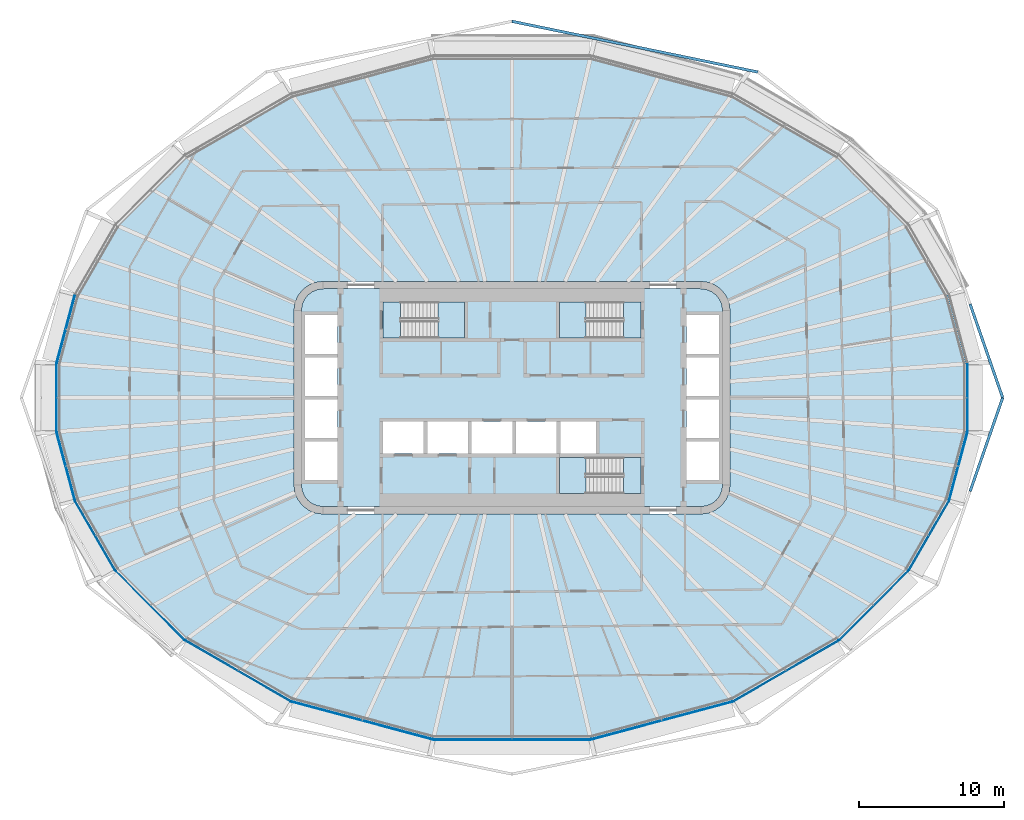
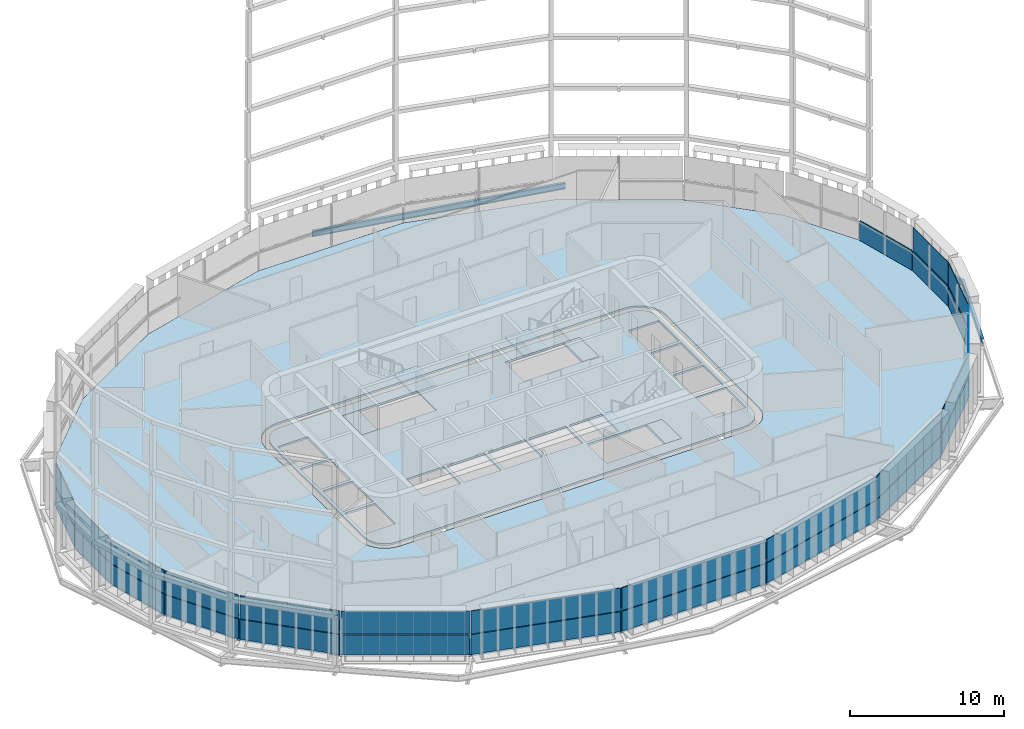
# One storey, part 10 of 24: 29 plates, 8 slabs, 3 beams, 18 elements without a shape of their own.
"""IFC4 building model written with IfcOpenShell, lengths in metres."""

from ifc_helpers import new_model, si_unit, direction, frame, origin, origin_2d, place, context, subcontext, project, spatial, polyline, i_section, outline, extrude, material, layer, layer_set, material_profile, profile_set, type_object, element, aggregate, save


model = new_model("IFC4")

# Units and contexts
model_context = context("Model", 3, precision=1e-05, world=origin(), true_north=direction((0.0, 1.0)))
body_context = subcontext(model_context, "Body", "Model", "MODEL_VIEW")
ifc_project = project(units=[si_unit("LENGTHUNIT", "METRE"), si_unit("AREAUNIT", "SQUARE_METRE"), si_unit("VOLUMEUNIT", "CUBIC_METRE"), si_unit("PLANEANGLEUNIT", "RADIAN"), si_unit("MASSUNIT", "GRAM", prefix="KILO")], contexts=[model_context])

# Site, building, storey
site_placement = place(None, origin())
site = spatial("IfcSite", under=ifc_project, at=site_placement, CompositionType="ELEMENT")
building_placement = place(site_placement, origin())
building = spatial("IfcBuilding", under=site, at=building_placement, Name="Sahrelin Media Tower", CompositionType="ELEMENT")
storey_placement = place(building_placement, frame((0.0, 0.0, 153.60009765625)))
storey = spatial("IfcBuildingStorey", under=building, at=storey_placement, Name="L31", CompositionType="ELEMENT", Elevation=153.60009765625)

# Beams
ifc_material_1 = material(Name="Steel S355", Category="steel")
ifc_material_profile = material_profile(ifc_material_1, i_section(OverallWidth=0.1904296875, OverallDepth=0.45703125, WebThickness=0.009033203125, FlangeThickness=0.014404296875, FilletRadius=0.01025390625, at=origin_2d()), Name="UB 457x191x74")
ifc_profile_set = profile_set([ifc_material_profile], Name="Steel S355")
beam_type = type_object("IfcBeamType", Name="Tie chord TC5", PredefinedType="BEAM", material=ifc_profile_set)
beam_1_placement = place(storey_placement, frame((33.762939453125, 0.0, -0.378662109375), z_axis=(-0.328806602254, -0.944397277799, 0.0), x_axis=(0.944397277799, -0.328806602254, 0.0)))
element("IfcBeam", 1, at=beam_1_placement, inside=storey, type_object=beam_type, Name="Tie chord L31-01", PredefinedType="BEAM", context=body_context, shape_type="SweptSolid", body=[
    extrude(i_section(OverallWidth=0.1904296875, OverallDepth=0.45703125, WebThickness=0.009033203125, FlangeThickness=0.014404296875, FilletRadius=0.01025390625, at=origin_2d()), origin(), (0.0, 0.0, 1.0), 6.820556640625),
])
beam_2_placement = place(storey_placement, frame((0.0, 25.896484375, -0.378662109375), z_axis=(0.979382790759, -0.202013240074, 0.0), x_axis=(0.202013240074, 0.979382790759, 0.0)))
element("IfcBeam", 2, at=beam_2_placement, inside=storey, type_object=beam_type, Name="Tie chord L31-16", PredefinedType="BEAM", context=body_context, shape_type="SweptSolid", body=[
    extrude(i_section(OverallWidth=0.1904296875, OverallDepth=0.45703125, WebThickness=0.009033203125, FlangeThickness=0.014404296875, FilletRadius=0.01025390625, at=origin_2d()), origin(), (0.0, 0.0, 1.0), 17.281982421875),
])
beam_3_placement = place(storey_placement, frame((31.520263671875, 6.44140625, -0.378662109375), z_axis=(0.328806602254, -0.944397277799, 0.0), x_axis=(0.944397277799, 0.328806602254, 0.0)))
element("IfcBeam", 3, at=beam_3_placement, inside=storey, type_object=beam_type, Name="Tie chord L31-20", PredefinedType="BEAM", context=body_context, shape_type="SweptSolid", body=[
    extrude(i_section(OverallWidth=0.1904296875, OverallDepth=0.45703125, WebThickness=0.009033203125, FlangeThickness=0.014404296875, FilletRadius=0.01025390625, at=origin_2d()), origin(), (0.0, 0.0, 1.0), 6.820556640625),
])

# Slabs
ifc_material_2 = material(Name="Concrete C40/50", Category="concrete")
ifc_layer_1 = layer(ifc_material_2, 0.14990234375)
ifc_layer_set_1 = layer_set([ifc_layer_1], Name="Composite floor slab 150")
slab_type_1 = type_object("IfcSlabType", Name="Composite floor slab 150", PredefinedType="FLOOR", material=ifc_layer_set_1)
placement_1 = place(storey_placement, frame((0.0, 0.0, -0.150146484375)))
element("IfcSlab", 4, at=placement_1, inside=storey, type_object=slab_type_1, Name="Floor slab L31", PredefinedType="FLOOR", context=body_context, shape_type="SweptSolid", body=[
    extrude(outline(polyline([(31.33154296875, -2.34033203125), (31.33154296875, 2.34033203125), (30.064697265625, 7.06884765625), (27.279296875, 11.89306640625), (22.493408203125, 16.678955078125), (15.1884765625, 20.896484375), (5.425537109375, 23.512451171875), (-5.425537109375, 23.512451171875), (-15.1884765625, 20.896484375), (-22.493408203125, 16.678955078125), (-27.279296875, 11.89306640625), (-30.064697265625, 7.06884765625), (-31.33154296875, 2.34033203125), (-31.33154296875, -2.34033203125), (-30.064697265625, -7.06884765625), (-27.279296875, -11.89306640625), (-22.493408203125, -16.678955078125), (-15.1884765625, -20.896484375), (-5.425537109375, -23.512451171875), (5.425537109375, -23.512451171875), (15.1884765625, -20.896484375), (22.493408203125, -16.678955078125), (27.279296875, -11.89306640625), (30.064697265625, -7.06884765625), (31.33154296875, -2.34033203125)]), holes=[polyline([(14.931884765625, 6.517578125), (15.0, 6.0), (15.0, -6.0), (14.931884765625, -6.517578125), (14.732177734375, -7.0), (14.414306640625, -7.414306640625), (14.0, -7.732177734375), (13.517578125, -7.931884765625), (13.0, -8.0), (-13.0, -8.0), (-13.517578125, -7.931884765625), (-14.0, -7.732177734375), (-14.414306640625, -7.414306640625), (-14.732177734375, -7.0), (-14.931884765625, -6.517578125), (-15.0, -6.0), (-15.0, 6.0), (-14.931884765625, 6.517578125), (-14.732177734375, 7.0), (-14.414306640625, 7.414306640625), (-14.0, 7.732177734375), (-13.517578125, 7.931884765625), (-13.0, 8.0), (13.0, 8.0), (13.517578125, 7.931884765625), (14.0, 7.732177734375), (14.414306640625, 7.414306640625), (14.732177734375, 7.0), (14.931884765625, 6.517578125)])]), origin(), (0.0, 0.0, 1.0), 0.150146484375),
])
ifc_layer_2 = layer(ifc_material_2, 0.14990234375)
ifc_layer_set_2 = layer_set([ifc_layer_2], Name="Core floor slab 150")
slab_type_2 = type_object("IfcSlabType", Name="Core floor slab 150", PredefinedType="FLOOR", material=ifc_layer_set_2)
element("IfcSlab", 5, at=placement_1, inside=storey, type_object=slab_type_2, Name="Core floor", PredefinedType="FLOOR", context=body_context, shape_type="SweptSolid", body=[
    extrude(outline(polyline([(-14.44482421875, 6.38720703125), (-14.5, 5.96728515625), (-14.5, -5.96728515625), (-14.44482421875, -6.38720703125), (-14.29541015625, -6.747802734375), (-14.0576171875, -7.0576171875), (-13.747802734375, -7.29541015625), (-13.38720703125, -7.44482421875), (-12.96728515625, -7.5), (12.96728515625, -7.5), (13.38720703125, -7.44482421875), (13.747802734375, -7.29541015625), (14.0576171875, -7.0576171875), (14.29541015625, -6.747802734375), (14.44482421875, -6.38720703125), (14.5, -5.96728515625), (14.5, 5.96728515625), (14.44482421875, 6.38720703125), (14.29541015625, 6.747802734375), (14.0576171875, 7.0576171875), (13.747802734375, 7.29541015625), (13.38720703125, 7.44482421875), (12.96728515625, 7.5), (-12.96728515625, 7.5), (-13.38720703125, 7.44482421875), (-13.747802734375, 7.29541015625), (-14.0576171875, 7.0576171875), (-14.29541015625, 6.747802734375), (-14.44482421875, 6.38720703125)]), holes=[polyline([(-12.0, 3.02490234375), (-12.0, 5.675048828125), (-14.25, 5.675048828125), (-14.25, 3.02490234375), (-12.0, 3.02490234375)]), polyline([(-14.25, 0.125), (-12.0, 0.125), (-12.0, 2.77490234375), (-14.25, 2.77490234375), (-14.25, 0.125)]), polyline([(-14.25, -0.125), (-14.25, -2.77490234375), (-12.0, -2.77490234375), (-12.0, -0.125), (-14.25, -0.125)]), polyline([(-12.0, -3.02490234375), (-14.25, -3.02490234375), (-14.25, -5.675048828125), (-12.0, -5.675048828125), (-12.0, -3.02490234375)]), polyline([(14.25, 3.02490234375), (14.25, 5.675048828125), (12.0, 5.675048828125), (12.0, 3.02490234375), (14.25, 3.02490234375)]), polyline([(12.0, 0.125), (14.25, 0.125), (14.25, 2.77490234375), (12.0, 2.77490234375), (12.0, 0.125)]), polyline([(12.0, -0.125), (12.0, -2.77490234375), (14.25, -2.77490234375), (14.25, -0.125), (12.0, -0.125)]), polyline([(14.25, -3.02490234375), (12.0, -3.02490234375), (12.0, -5.675048828125), (14.25, -5.675048828125), (14.25, -3.02490234375)]), polyline([(-6.074951171875, -3.85009765625), (-6.074951171875, -1.64990234375), (-8.875, -1.64990234375), (-8.875, -3.85009765625), (-6.074951171875, -3.85009765625)]), polyline([(-5.824951171875, -3.85009765625), (-3.02490234375, -3.85009765625), (-3.02490234375, -1.64990234375), (-5.824951171875, -1.64990234375), (-5.824951171875, -3.85009765625)]), polyline([(-2.77490234375, -1.64990234375), (-2.77490234375, -3.85009765625), (0.02490234375, -3.85009765625), (0.02490234375, -1.64990234375), (-2.77490234375, -1.64990234375)]), polyline([(3.074951171875, -1.64990234375), (0.27490234375, -1.64990234375), (0.27490234375, -3.85009765625), (3.074951171875, -3.85009765625), (3.074951171875, -1.64990234375)]), polyline([(5.77490234375, -3.85009765625), (5.77490234375, -1.64990234375), (3.324951171875, -1.64990234375), (3.324951171875, -3.85009765625), (5.77490234375, -3.85009765625)]), polyline([(-8.875, 6.60009765625), (-8.875, 4.10009765625), (-3.27490234375, 4.10009765625), (-3.27490234375, 6.60009765625), (-8.875, 6.60009765625)]), polyline([(3.27490234375, 4.10009765625), (8.875, 4.10009765625), (8.875, 6.60009765625), (3.27490234375, 6.60009765625), (3.27490234375, 4.10009765625)]), polyline([(3.27490234375, -4.10009765625), (3.27490234375, -6.60009765625), (8.875, -6.60009765625), (8.875, -4.10009765625), (3.27490234375, -4.10009765625)])]), origin(), (0.0, 0.0, 1.0), 0.150146484375),
])

# Curtain wall, plate
ifc_material_3 = material(Name="Champagne anodised aluminium 6063-T6", Category="aluminium")
ifc_layer_3 = layer(ifc_material_3, 0.14990234375)
ifc_layer_set_3 = layer_set([ifc_layer_3], Name="Tower ribbon curtain wall")
curtain_wall_type = type_object("IfcCurtainWallType", Name="Tower ribbon curtain wall", PredefinedType="NOTDEFINED", material=ifc_layer_set_3)
curtain_wall_1_placement = place(storey_placement, frame((31.3515625, 0.0, 0.0), z_axis=(0.0, 0.0, 1.0), x_axis=(1.0, 0.0, 0.0)))
curtain_wall_1 = element("IfcCurtainWall", 6, at=curtain_wall_1_placement, inside=storey, type_object=curtain_wall_type, Name="L31:CW:L31-00", PredefinedType="NOTDEFINED")
ifc_material_4 = material(Name="Clear low-iron glazing", Category="glass")
ifc_layer_4 = layer(ifc_material_4, 0.0439453125)
ifc_layer_set_4 = layer_set([ifc_layer_4], Name="Glazing panel 44 mm CW1B")
plate_type_1 = type_object("IfcPlateType", Name="Glazing panel 44 mm CW1B", PredefinedType="CURTAIN_PANEL", material=ifc_layer_set_4)
plate_1_placement = place(storey_placement, frame((31.37158203125, -2.29296875, 1.6298828125), z_axis=(1.0, 0.0, 0.0), x_axis=(0.0, 1.0, 0.0)))
plate_1 = element("IfcPlate", 7, at=plate_1_placement, type_object=plate_type_1, Name="L31:CWP2:L31-00", PredefinedType="CURTAIN_PANEL", context=body_context, shape_type="SweptSolid", body=[
    extrude(outline(polyline([(0.0, 0.0), (4.5859375, 0.0), (4.5859375, 1.818603515625), (0.0, 1.818603515625), (0.0, 0.0)])), origin(), (0.0, 0.0, -1.0), 0.0439453125),
])

curtain_wall_2_placement = place(storey_placement, frame((-30.71728515625, 4.709716796875, 0.0), z_axis=(0.0, 0.0, 1.0), x_axis=(1.0, 0.0, 0.0)))
curtain_wall_2 = element("IfcCurtainWall", 8, at=curtain_wall_2_placement, inside=storey, type_object=curtain_wall_type, Name="L31:CW:L31-11", PredefinedType="NOTDEFINED")
plate_2_placement = place(storey_placement, frame((-30.115478515625, 7.033447265625, 1.6298828125), z_axis=(-0.965927847978, 0.25881149994, 0.0), x_axis=(-0.25881149994, -0.965927847978, 0.0)))
plate_2 = element("IfcPlate", 9, at=plate_2_placement, type_object=plate_type_1, Name="L31:CWP2:L31-11", PredefinedType="CURTAIN_PANEL", context=body_context, shape_type="SweptSolid", body=[
    extrude(outline(polyline([(0.0, 0.0), (4.800537109375, 0.0), (4.800537109375, 1.818603515625), (0.0, 1.818603515625), (0.0, 0.0)])), origin(), (0.0, 0.0, -1.0), 0.0439453125),
])

curtain_wall_3_placement = place(storey_placement, frame((-31.3515625, 0.0, 0.0), z_axis=(0.0, 0.0, 1.0), x_axis=(1.0, 0.0, 0.0)))
curtain_wall_3 = element("IfcCurtainWall", 10, at=curtain_wall_3_placement, inside=storey, type_object=curtain_wall_type, Name="L31:CW:L31-12", PredefinedType="NOTDEFINED")
plate_3_placement = place(storey_placement, frame((-31.37158203125, 2.29296875, 1.6298828125), z_axis=(-1.0, 0.0, 0.0), x_axis=(0.0, -1.0, 0.0)))
plate_3 = element("IfcPlate", 11, at=plate_3_placement, type_object=plate_type_1, Name="L31:CWP2:L31-12", PredefinedType="CURTAIN_PANEL", context=body_context, shape_type="SweptSolid", body=[
    extrude(outline(polyline([(0.0, 0.0), (4.5859375, 0.0), (4.5859375, 1.818603515625), (0.0, 1.818603515625), (0.0, 0.0)])), origin(), (0.0, 0.0, -1.0), 0.0439453125),
])

curtain_wall_4_placement = place(storey_placement, frame((-30.71728515625, -4.709716796875, 0.0), z_axis=(0.0, 0.0, 1.0), x_axis=(1.0, 0.0, 0.0)))
curtain_wall_4 = element("IfcCurtainWall", 12, at=curtain_wall_4_placement, inside=storey, type_object=curtain_wall_type, Name="L31:CW:L31-13", PredefinedType="NOTDEFINED")
plate_4_placement = place(storey_placement, frame((-31.35791015625, -2.396484375, 1.6298828125), z_axis=(-0.965927847978, -0.25881149994, 0.0), x_axis=(0.25881149994, -0.965927847978, 0.0)))
plate_4 = element("IfcPlate", 13, at=plate_4_placement, type_object=plate_type_1, Name="L31:CWP2:L31-13", PredefinedType="CURTAIN_PANEL", context=body_context, shape_type="SweptSolid", body=[
    extrude(outline(polyline([(0.0, 0.0), (4.800537109375, 0.0), (4.800537109375, 1.818603515625), (0.0, 1.818603515625), (0.0, 0.0)])), origin(), (0.0, 0.0, -1.0), 0.0439453125),
])

curtain_wall_5_placement = place(storey_placement, frame((-28.689208984375, -9.490966796875, 0.0), z_axis=(0.0, 0.0, 1.0), x_axis=(1.0, 0.0, 0.0)))
curtain_wall_5 = element("IfcCurtainWall", 14, at=curtain_wall_5_placement, inside=storey, type_object=curtain_wall_type, Name="L31:CW:L31-14", PredefinedType="NOTDEFINED")
plate_5_placement = place(storey_placement, frame((-30.075439453125, -7.1298828125, 1.6298828125), z_axis=(-0.866034122891, -0.49998489776, 0.0), x_axis=(0.49998489776, -0.866034122891, 0.0)))
plate_5 = element("IfcPlate", 15, at=plate_5_placement, type_object=plate_type_1, Name="L31:CWP2:L31-14", PredefinedType="CURTAIN_PANEL", context=body_context, shape_type="SweptSolid", body=[
    extrude(outline(polyline([(0.0, 0.0), (5.475830078125, 0.0), (5.475830078125, 1.818603515625), (0.0, 1.818603515625), (0.0, 0.0)])), origin(), (0.0, 0.0, -1.0), 0.0439453125),
])

curtain_wall_6_placement = place(storey_placement, frame((-24.900634765625, -14.30029296875, 0.0), z_axis=(0.0, 0.0, 1.0), x_axis=(1.0, 0.0, 0.0)))
curtain_wall_6 = element("IfcCurtainWall", 16, at=curtain_wall_6_placement, inside=storey, type_object=curtain_wall_type, Name="L31:CW:L31-15", PredefinedType="NOTDEFINED")
plate_6_placement = place(storey_placement, frame((-27.274169921875, -11.954833984375, 1.6298828125), z_axis=(-0.707106781187, -0.707106781187, 0.0), x_axis=(0.707106781187, -0.707106781187, 0.0)))
plate_6 = element("IfcPlate", 17, at=plate_6_placement, type_object=plate_type_1, Name="L31:CWP2:L31-15", PredefinedType="CURTAIN_PANEL", context=body_context, shape_type="SweptSolid", body=[
    extrude(outline(polyline([(0.0, 0.0), (6.67333984375, 0.0), (6.67333984375, 1.818603515625), (0.0, 1.818603515625), (0.0, 0.0)])), origin(), (0.0, 0.0, -1.0), 0.0439453125),
])

curtain_wall_7_placement = place(storey_placement, frame((-18.85107421875, -18.804931640625, 0.0), z_axis=(0.0, 0.0, 1.0), x_axis=(1.0, 0.0, 0.0)))
curtain_wall_7 = element("IfcCurtainWall", 18, at=curtain_wall_7_placement, inside=storey, type_object=curtain_wall_type, Name="L31:CW:L31-16", PredefinedType="NOTDEFINED")
plate_7_placement = place(storey_placement, frame((-22.472412109375, -16.7373046875, 1.6298828125), z_axis=(-0.500002026074, -0.866024234027, 0.0), x_axis=(0.866024234027, -0.500002026074, 0.0)))
plate_7 = element("IfcPlate", 19, at=plate_7_placement, type_object=plate_type_1, Name="L31:CWP2:L31-16", PredefinedType="CURTAIN_PANEL", context=body_context, shape_type="SweptSolid", body=[
    extrude(outline(polyline([(0.0, 0.0), (8.34033203125, 0.0), (8.34033203125, 1.818603515625), (0.0, 1.818603515625), (0.0, 0.0)])), origin(), (0.0, 0.0, -1.0), 0.0439453125),
])

curtain_wall_8_placement = place(storey_placement, frame((-10.312255859375, -22.2236328125, 0.0), z_axis=(0.0, 0.0, 1.0), x_axis=(1.0, 0.0, 0.0)))
curtain_wall_8 = element("IfcCurtainWall", 20, at=curtain_wall_8_placement, inside=storey, type_object=curtain_wall_type, Name="L31:CW:L31-17", PredefinedType="NOTDEFINED")
plate_8_placement = place(storey_placement, frame((-15.153076171875, -20.947509765625, 1.6298828125), z_axis=(-0.258806775726, -0.965929113775, 0.0), x_axis=(0.965929113775, -0.258806775726, 0.0)))
plate_8 = element("IfcPlate", 21, at=plate_8_placement, type_object=plate_type_1, Name="L31:CWP2:L31-17", PredefinedType="CURTAIN_PANEL", context=body_context, shape_type="SweptSolid", body=[
    extrude(outline(polyline([(0.0, 0.0), (10.012451171875, 0.0), (10.012451171875, 1.818603515625), (0.0, 1.818603515625), (0.0, 0.0)])), origin(), (0.0, 0.0, -1.0), 0.0439453125),
])

curtain_wall_9_placement = place(storey_placement, frame((0.0, -23.532470703125, 0.0), z_axis=(0.0, 0.0, 1.0), x_axis=(1.0, 0.0, 0.0)))
curtain_wall_9 = element("IfcCurtainWall", 22, at=curtain_wall_9_placement, inside=storey, type_object=curtain_wall_type, Name="L31:CW:L31-18", PredefinedType="NOTDEFINED")
plate_9_placement = place(storey_placement, frame((-5.378173828125, -23.552490234375, 1.6298828125), z_axis=(0.0, -1.0, 0.0), x_axis=(1.0, 0.0, 0.0)))
plate_9 = element("IfcPlate", 23, at=plate_9_placement, type_object=plate_type_1, Name="L31:CWP2:L31-18", PredefinedType="CURTAIN_PANEL", context=body_context, shape_type="SweptSolid", body=[
    extrude(outline(polyline([(0.0, 0.0), (10.75634765625, 0.0), (10.75634765625, 1.818603515625), (0.0, 1.818603515625), (0.0, 0.0)])), origin(), (0.0, 0.0, -1.0), 0.0439453125),
])

curtain_wall_10_placement = place(storey_placement, frame((10.312255859375, -22.2236328125, 0.0), z_axis=(0.0, 0.0, 1.0), x_axis=(1.0, 0.0, 0.0)))
curtain_wall_10 = element("IfcCurtainWall", 24, at=curtain_wall_10_placement, inside=storey, type_object=curtain_wall_type, Name="L31:CW:L31-19", PredefinedType="NOTDEFINED")
plate_10_placement = place(storey_placement, frame((5.481689453125, -23.538818359375, 1.6298828125), z_axis=(0.258806775726, -0.965929113775, 0.0), x_axis=(0.965929113775, 0.258806775726, 0.0)))
plate_10 = element("IfcPlate", 25, at=plate_10_placement, type_object=plate_type_1, Name="L31:CWP2:L31-19", PredefinedType="CURTAIN_PANEL", context=body_context, shape_type="SweptSolid", body=[
    extrude(outline(polyline([(0.0, 0.0), (10.012451171875, 0.0), (10.012451171875, 1.818603515625), (0.0, 1.818603515625), (0.0, 0.0)])), origin(), (0.0, 0.0, -1.0), 0.0439453125),
])

curtain_wall_11_placement = place(storey_placement, frame((18.85107421875, -18.804931640625, 0.0), z_axis=(0.0, 0.0, 1.0), x_axis=(1.0, 0.0, 0.0)))
curtain_wall_11 = element("IfcCurtainWall", 26, at=curtain_wall_11_placement, inside=storey, type_object=curtain_wall_type, Name="L31:CW:L31-20", PredefinedType="NOTDEFINED")
plate_11_placement = place(storey_placement, frame((15.24951171875, -20.907470703125, 1.6298828125), z_axis=(0.500002026074, -0.866024234027, 0.0), x_axis=(0.866024234027, 0.500002026074, 0.0)))
plate_11 = element("IfcPlate", 27, at=plate_11_placement, type_object=plate_type_1, Name="L31:CWP2:L31-20", PredefinedType="CURTAIN_PANEL", context=body_context, shape_type="SweptSolid", body=[
    extrude(outline(polyline([(0.0, 0.0), (8.34033203125, 0.0), (8.34033203125, 1.818603515625), (0.0, 1.818603515625), (0.0, 0.0)])), origin(), (0.0, 0.0, -1.0), 0.0439453125),
])

curtain_wall_12_placement = place(storey_placement, frame((24.900390625, -14.300048828125, 0.0), z_axis=(0.0, 0.0, 1.0), x_axis=(1.0, 0.0, 0.0)))
curtain_wall_12 = element("IfcCurtainWall", 28, at=curtain_wall_12_placement, inside=storey, type_object=curtain_wall_type, Name="L31:CW:L31-21", PredefinedType="NOTDEFINED")
plate_12_placement = place(storey_placement, frame((22.555419921875, -16.673583984375, 1.6298828125), z_axis=(0.707106781187, -0.707106781187, 0.0), x_axis=(0.707106781187, 0.707106781187, 0.0)))
plate_12 = element("IfcPlate", 29, at=plate_12_placement, type_object=plate_type_1, Name="L31:CWP2:L31-21", PredefinedType="CURTAIN_PANEL", context=body_context, shape_type="SweptSolid", body=[
    extrude(outline(polyline([(0.0, 0.0), (6.67333984375, 0.0), (6.67333984375, 1.818603515625), (0.0, 1.818603515625), (0.0, 0.0)])), origin(), (0.0, 0.0, -1.0), 0.0439453125),
])

curtain_wall_13_placement = place(storey_placement, frame((28.689208984375, -9.490966796875, 0.0), z_axis=(0.0, 0.0, 1.0), x_axis=(1.0, 0.0, 0.0)))
curtain_wall_13 = element("IfcCurtainWall", 30, at=curtain_wall_13_placement, inside=storey, type_object=curtain_wall_type, Name="L31:CW:L31-22", PredefinedType="NOTDEFINED")
plate_13_placement = place(storey_placement, frame((27.337646484375, -11.8720703125, 1.6298828125), z_axis=(0.866034122891, -0.49998489776, 0.0), x_axis=(0.49998489776, 0.866034122891, 0.0)))
plate_13 = element("IfcPlate", 31, at=plate_13_placement, type_object=plate_type_1, Name="L31:CWP2:L31-22", PredefinedType="CURTAIN_PANEL", context=body_context, shape_type="SweptSolid", body=[
    extrude(outline(polyline([(0.0, 0.0), (5.475830078125, 0.0), (5.475830078125, 1.818603515625), (0.0, 1.818603515625), (0.0, 0.0)])), origin(), (0.0, 0.0, -1.0), 0.0439453125),
])

curtain_wall_14_placement = place(storey_placement, frame((30.71728515625, -4.709716796875, 0.0), z_axis=(0.0, 0.0, 1.0), x_axis=(1.0, 0.0, 0.0)))
curtain_wall_14 = element("IfcCurtainWall", 32, at=curtain_wall_14_placement, inside=storey, type_object=curtain_wall_type, Name="L31:CW:L31-23", PredefinedType="NOTDEFINED")
plate_14_placement = place(storey_placement, frame((30.115478515625, -7.033447265625, 1.6298828125), z_axis=(0.965927847978, -0.25881149994, 0.0), x_axis=(0.25881149994, 0.965927847978, 0.0)))
plate_14 = element("IfcPlate", 33, at=plate_14_placement, type_object=plate_type_1, Name="L31:CWP2:L31-23", PredefinedType="CURTAIN_PANEL", context=body_context, shape_type="SweptSolid", body=[
    extrude(outline(polyline([(0.0, 0.0), (4.800537109375, 0.0), (4.800537109375, 1.818603515625), (0.0, 1.818603515625), (0.0, 0.0)])), origin(), (0.0, 0.0, -1.0), 0.0439453125),
])

# Plate
ifc_material_5 = material(Name="Insulated spandrel panel")
ifc_layer_5 = layer(ifc_material_5, 0.06005859375)
ifc_layer_set_5 = layer_set([ifc_layer_5], Name="Spandrel panel 60 mm CW1")
plate_type_2 = type_object("IfcPlateType", Name="Spandrel panel 60 mm CW1", PredefinedType="SHEET", material=ifc_layer_set_5)
plate_15_placement = place(storey_placement, frame((31.37158203125, -2.29296875, 0.0), z_axis=(1.0, 0.0, 0.0), x_axis=(0.0, 1.0, 0.0)))
plate_15 = element("IfcPlate", 34, at=plate_15_placement, type_object=plate_type_2, Name="L31:CWP1:L31-00", PredefinedType="SHEET", context=body_context, shape_type="SweptSolid", body=[
    extrude(outline(polyline([(0.0, 0.0), (4.5859375, 0.0), (4.5859375, 1.56982421875), (0.0, 1.56982421875), (0.0, 0.0)])), origin(), (0.0, 0.0, -1.0), 0.06005859375),
])

aggregate(curtain_wall_1, [plate_15, plate_1])

# Curtain wall, plate
curtain_wall_15_placement = place(storey_placement, frame((30.71728515625, 4.709716796875, 0.0), z_axis=(0.0, 0.0, 1.0), x_axis=(1.0, 0.0, 0.0)))
curtain_wall_15 = element("IfcCurtainWall", 35, at=curtain_wall_15_placement, inside=storey, type_object=curtain_wall_type, Name="L31:CW:L31-01", PredefinedType="NOTDEFINED")
plate_16_placement = place(storey_placement, frame((31.35791015625, 2.396484375, 0.0), z_axis=(0.965927847978, 0.25881149994, 0.0), x_axis=(-0.25881149994, 0.965927847978, 0.0)))
plate_16 = element("IfcPlate", 36, at=plate_16_placement, type_object=plate_type_2, Name="L31:CWP1:L31-01", PredefinedType="SHEET", context=body_context, shape_type="SweptSolid", body=[
    extrude(outline(polyline([(0.0, 0.0), (4.800537109375, 0.0), (4.800537109375, 1.56982421875), (0.0, 1.56982421875), (0.0, 0.0)])), origin(), (0.0, 0.0, -1.0), 0.06005859375),
])
aggregate(curtain_wall_15, [plate_16])

# Plate
plate_17_placement = place(storey_placement, frame((-30.115478515625, 7.033447265625, 0.0), z_axis=(-0.965927847978, 0.25881149994, 0.0), x_axis=(-0.25881149994, -0.965927847978, 0.0)))
plate_17 = element("IfcPlate", 37, at=plate_17_placement, type_object=plate_type_2, Name="L31:CWP1:L31-11", PredefinedType="SHEET", context=body_context, shape_type="SweptSolid", body=[
    extrude(outline(polyline([(0.0, 0.0), (4.800537109375, 0.0), (4.800537109375, 1.56982421875), (0.0, 1.56982421875), (0.0, 0.0)])), origin(), (0.0, 0.0, -1.0), 0.06005859375),
])

aggregate(curtain_wall_2, [plate_17, plate_2])

plate_18_placement = place(storey_placement, frame((-31.37158203125, 2.29296875, 0.0), z_axis=(-1.0, 0.0, 0.0), x_axis=(0.0, -1.0, 0.0)))
plate_18 = element("IfcPlate", 38, at=plate_18_placement, type_object=plate_type_2, Name="L31:CWP1:L31-12", PredefinedType="SHEET", context=body_context, shape_type="SweptSolid", body=[
    extrude(outline(polyline([(0.0, 0.0), (4.5859375, 0.0), (4.5859375, 1.56982421875), (0.0, 1.56982421875), (0.0, 0.0)])), origin(), (0.0, 0.0, -1.0), 0.06005859375),
])

aggregate(curtain_wall_3, [plate_18, plate_3])

plate_19_placement = place(storey_placement, frame((-31.35791015625, -2.396484375, 0.0), z_axis=(-0.965927847978, -0.25881149994, 0.0), x_axis=(0.25881149994, -0.965927847978, 0.0)))
plate_19 = element("IfcPlate", 39, at=plate_19_placement, type_object=plate_type_2, Name="L31:CWP1:L31-13", PredefinedType="SHEET", context=body_context, shape_type="SweptSolid", body=[
    extrude(outline(polyline([(0.0, 0.0), (4.800537109375, 0.0), (4.800537109375, 1.56982421875), (0.0, 1.56982421875), (0.0, 0.0)])), origin(), (0.0, 0.0, -1.0), 0.06005859375),
])

aggregate(curtain_wall_4, [plate_19, plate_4])

plate_20_placement = place(storey_placement, frame((-30.075439453125, -7.1298828125, 0.0), z_axis=(-0.866034122891, -0.49998489776, 0.0), x_axis=(0.49998489776, -0.866034122891, 0.0)))
plate_20 = element("IfcPlate", 40, at=plate_20_placement, type_object=plate_type_2, Name="L31:CWP1:L31-14", PredefinedType="SHEET", context=body_context, shape_type="SweptSolid", body=[
    extrude(outline(polyline([(0.0, 0.0), (5.475830078125, 0.0), (5.475830078125, 1.56982421875), (0.0, 1.56982421875), (0.0, 0.0)])), origin(), (0.0, 0.0, -1.0), 0.06005859375),
])

aggregate(curtain_wall_5, [plate_20, plate_5])

plate_21_placement = place(storey_placement, frame((-27.274169921875, -11.954833984375, 0.0), z_axis=(-0.707106781187, -0.707106781187, 0.0), x_axis=(0.707106781187, -0.707106781187, 0.0)))
plate_21 = element("IfcPlate", 41, at=plate_21_placement, type_object=plate_type_2, Name="L31:CWP1:L31-15", PredefinedType="SHEET", context=body_context, shape_type="SweptSolid", body=[
    extrude(outline(polyline([(0.0, 0.0), (6.67333984375, 0.0), (6.67333984375, 1.56982421875), (0.0, 1.56982421875), (0.0, 0.0)])), origin(), (0.0, 0.0, -1.0), 0.06005859375),
])

aggregate(curtain_wall_6, [plate_21, plate_6])

plate_22_placement = place(storey_placement, frame((-22.472412109375, -16.7373046875, 0.0), z_axis=(-0.500002026074, -0.866024234027, 0.0), x_axis=(0.866024234027, -0.500002026074, 0.0)))
plate_22 = element("IfcPlate", 42, at=plate_22_placement, type_object=plate_type_2, Name="L31:CWP1:L31-16", PredefinedType="SHEET", context=body_context, shape_type="SweptSolid", body=[
    extrude(outline(polyline([(0.0, 0.0), (8.34033203125, 0.0), (8.34033203125, 1.56982421875), (0.0, 1.56982421875), (0.0, 0.0)])), origin(), (0.0, 0.0, -1.0), 0.06005859375),
])

aggregate(curtain_wall_7, [plate_22, plate_7])

plate_23_placement = place(storey_placement, frame((-15.153076171875, -20.947509765625, 0.0), z_axis=(-0.258806775726, -0.965929113775, 0.0), x_axis=(0.965929113775, -0.258806775726, 0.0)))
plate_23 = element("IfcPlate", 43, at=plate_23_placement, type_object=plate_type_2, Name="L31:CWP1:L31-17", PredefinedType="SHEET", context=body_context, shape_type="SweptSolid", body=[
    extrude(outline(polyline([(0.0, 0.0), (10.012451171875, 0.0), (10.012451171875, 1.56982421875), (0.0, 1.56982421875), (0.0, 0.0)])), origin(), (0.0, 0.0, -1.0), 0.06005859375),
])

aggregate(curtain_wall_8, [plate_23, plate_8])

plate_24_placement = place(storey_placement, frame((-5.378173828125, -23.552490234375, 0.0), z_axis=(0.0, -1.0, 0.0), x_axis=(1.0, 0.0, 0.0)))
plate_24 = element("IfcPlate", 44, at=plate_24_placement, type_object=plate_type_2, Name="L31:CWP1:L31-18", PredefinedType="SHEET", context=body_context, shape_type="SweptSolid", body=[
    extrude(outline(polyline([(0.0, 0.0), (10.75634765625, 0.0), (10.75634765625, 1.56982421875), (0.0, 1.56982421875), (0.0, 0.0)])), origin(), (0.0, 0.0, -1.0), 0.06005859375),
])

aggregate(curtain_wall_9, [plate_24, plate_9])

plate_25_placement = place(storey_placement, frame((5.481689453125, -23.538818359375, 0.0), z_axis=(0.258806775726, -0.965929113775, 0.0), x_axis=(0.965929113775, 0.258806775726, 0.0)))
plate_25 = element("IfcPlate", 45, at=plate_25_placement, type_object=plate_type_2, Name="L31:CWP1:L31-19", PredefinedType="SHEET", context=body_context, shape_type="SweptSolid", body=[
    extrude(outline(polyline([(0.0, 0.0), (10.012451171875, 0.0), (10.012451171875, 1.56982421875), (0.0, 1.56982421875), (0.0, 0.0)])), origin(), (0.0, 0.0, -1.0), 0.06005859375),
])

aggregate(curtain_wall_10, [plate_25, plate_10])

plate_26_placement = place(storey_placement, frame((15.24951171875, -20.907470703125, 0.0), z_axis=(0.500002026074, -0.866024234027, 0.0), x_axis=(0.866024234027, 0.500002026074, 0.0)))
plate_26 = element("IfcPlate", 46, at=plate_26_placement, type_object=plate_type_2, Name="L31:CWP1:L31-20", PredefinedType="SHEET", context=body_context, shape_type="SweptSolid", body=[
    extrude(outline(polyline([(0.0, 0.0), (8.34033203125, 0.0), (8.34033203125, 1.56982421875), (0.0, 1.56982421875), (0.0, 0.0)])), origin(), (0.0, 0.0, -1.0), 0.06005859375),
])

aggregate(curtain_wall_11, [plate_26, plate_11])

plate_27_placement = place(storey_placement, frame((22.555419921875, -16.673583984375, 0.0), z_axis=(0.707106781187, -0.707106781187, 0.0), x_axis=(0.707106781187, 0.707106781187, 0.0)))
plate_27 = element("IfcPlate", 47, at=plate_27_placement, type_object=plate_type_2, Name="L31:CWP1:L31-21", PredefinedType="SHEET", context=body_context, shape_type="SweptSolid", body=[
    extrude(outline(polyline([(0.0, 0.0), (6.67333984375, 0.0), (6.67333984375, 1.56982421875), (0.0, 1.56982421875), (0.0, 0.0)])), origin(), (0.0, 0.0, -1.0), 0.06005859375),
])

aggregate(curtain_wall_12, [plate_27, plate_12])

plate_28_placement = place(storey_placement, frame((27.337646484375, -11.8720703125, 0.0), z_axis=(0.866034122891, -0.49998489776, 0.0), x_axis=(0.49998489776, 0.866034122891, 0.0)))
plate_28 = element("IfcPlate", 48, at=plate_28_placement, type_object=plate_type_2, Name="L31:CWP1:L31-22", PredefinedType="SHEET", context=body_context, shape_type="SweptSolid", body=[
    extrude(outline(polyline([(0.0, 0.0), (5.475830078125, 0.0), (5.475830078125, 1.56982421875), (0.0, 1.56982421875), (0.0, 0.0)])), origin(), (0.0, 0.0, -1.0), 0.06005859375),
])

aggregate(curtain_wall_13, [plate_28, plate_13])

plate_29_placement = place(storey_placement, frame((30.115478515625, -7.033447265625, 0.0), z_axis=(0.965927847978, -0.25881149994, 0.0), x_axis=(0.25881149994, 0.965927847978, 0.0)))
plate_29 = element("IfcPlate", 49, at=plate_29_placement, type_object=plate_type_2, Name="L31:CWP1:L31-23", PredefinedType="SHEET", context=body_context, shape_type="SweptSolid", body=[
    extrude(outline(polyline([(0.0, 0.0), (4.800537109375, 0.0), (4.800537109375, 1.56982421875), (0.0, 1.56982421875), (0.0, 0.0)])), origin(), (0.0, 0.0, -1.0), 0.06005859375),
])

aggregate(curtain_wall_14, [plate_29, plate_14])

# Stair, slabs
stair_type = type_object("IfcStairType", Name="Exit stair 1200", PredefinedType="HALF_TURN_STAIR", material=ifc_material_2)
placement_2 = place(storey_placement, origin())
stair_1 = element("IfcStair", 50, at=placement_2, inside=storey, type_object=stair_type, Name="L31 Exit stair ST1", PredefinedType="HALF_TURN_STAIR")
ifc_layer_6 = layer(ifc_material_2, 0.199951171875)
ifc_layer_set_6 = layer_set([ifc_layer_6], Name="Stair landing 200")
slab_type_3 = type_object("IfcSlabType", Name="Stair landing 200", PredefinedType="LANDING", material=ifc_layer_set_6)
placement_3 = place(storey_placement, frame((0.0, 0.0, 1.7998046875)))
slab_3 = element("IfcSlab", 51, at=placement_3, type_object=slab_type_3, Name="ST1 landing 1", PredefinedType="LANDING", context=body_context, shape_type="SweptSolid", body=[
    extrude(outline(polyline([(-5.074951171875, 4.10009765625), (-3.27490234375, 4.10009765625), (-3.27490234375, 6.60009765625), (-5.074951171875, 6.60009765625), (-5.074951171875, 4.10009765625)])), origin(), (0.0, 0.0, 1.0), 0.2001953125),
])
placement_4 = place(storey_placement, frame((0.0, 0.0, -0.2001953125)))
slab_4 = element("IfcSlab", 52, at=placement_4, type_object=slab_type_3, Name="ST1 landing 2", PredefinedType="LANDING", context=body_context, shape_type="SweptSolid", body=[
    extrude(outline(polyline([(-8.875, 4.10009765625), (-7.675048828125, 4.10009765625), (-7.675048828125, 6.60009765625), (-8.875, 6.60009765625), (-8.875, 4.10009765625)])), origin(), (0.0, 0.0, 1.0), 0.2001953125),
])
aggregate(stair_1, [slab_3, slab_4])

stair_2 = element("IfcStair", 53, at=placement_2, inside=storey, type_object=stair_type, Name="L31 Exit stair ST3", PredefinedType="HALF_TURN_STAIR")
slab_5 = element("IfcSlab", 54, at=placement_3, type_object=slab_type_3, Name="ST3 landing 1", PredefinedType="LANDING", context=body_context, shape_type="SweptSolid", body=[
    extrude(outline(polyline([(5.074951171875, 6.60009765625), (3.27490234375, 6.60009765625), (3.27490234375, 4.10009765625), (5.074951171875, 4.10009765625), (5.074951171875, 6.60009765625)])), origin(), (0.0, 0.0, 1.0), 0.2001953125),
])
slab_6 = element("IfcSlab", 55, at=placement_4, type_object=slab_type_3, Name="ST3 landing 2", PredefinedType="LANDING", context=body_context, shape_type="SweptSolid", body=[
    extrude(outline(polyline([(8.875, 6.60009765625), (7.675048828125, 6.60009765625), (7.675048828125, 4.10009765625), (8.875, 4.10009765625), (8.875, 6.60009765625)])), origin(), (0.0, 0.0, 1.0), 0.2001953125),
])
aggregate(stair_2, [slab_5, slab_6])

stair_3 = element("IfcStair", 56, at=placement_2, inside=storey, type_object=stair_type, Name="L31 Exit stair ST2", PredefinedType="HALF_TURN_STAIR")
slab_7 = element("IfcSlab", 57, at=placement_3, type_object=slab_type_3, Name="ST2 landing 1", PredefinedType="LANDING", context=body_context, shape_type="SweptSolid", body=[
    extrude(outline(polyline([(5.074951171875, -4.10009765625), (3.27490234375, -4.10009765625), (3.27490234375, -6.60009765625), (5.074951171875, -6.60009765625), (5.074951171875, -4.10009765625)])), origin(), (0.0, 0.0, 1.0), 0.2001953125),
])
slab_8 = element("IfcSlab", 58, at=placement_4, type_object=slab_type_3, Name="ST2 landing 2", PredefinedType="LANDING", context=body_context, shape_type="SweptSolid", body=[
    extrude(outline(polyline([(8.875, -4.10009765625), (7.675048828125, -4.10009765625), (7.675048828125, -6.60009765625), (8.875, -6.60009765625), (8.875, -4.10009765625)])), origin(), (0.0, 0.0, 1.0), 0.2001953125),
])
aggregate(stair_3, [slab_7, slab_8])

save(model, "model.ifc")
